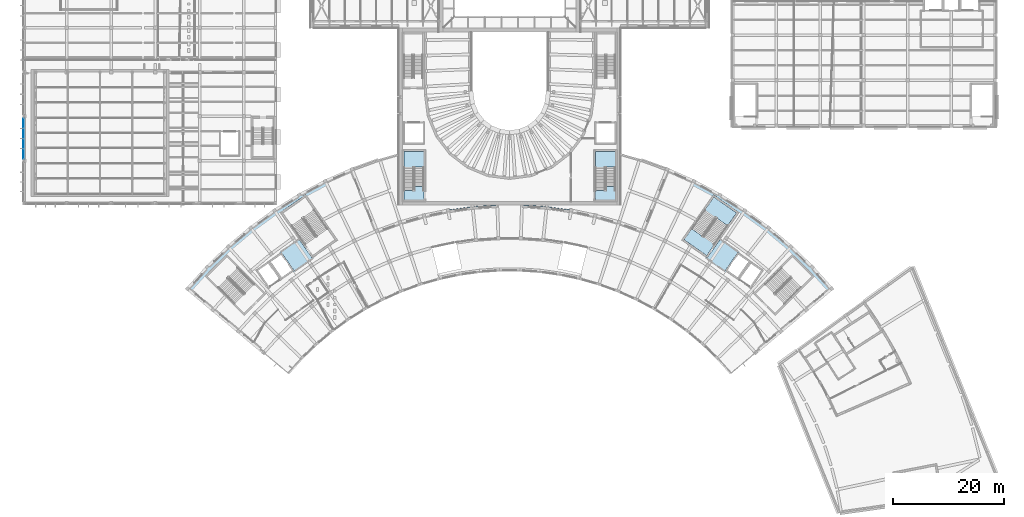
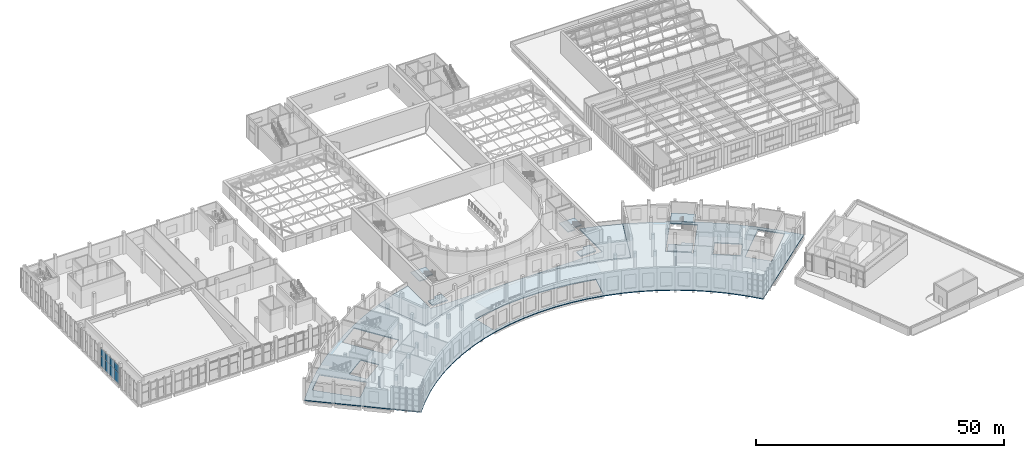
# One storey, part 63 of 132: 8 plates, 8 slabs, 4 elements without a shape of their own.
"""IFC4 building model written with IfcOpenShell, lengths in metres."""

from ifc_helpers import new_model, si_unit, direction, frame, origin, origin_2d, place, context, subcontext, project, spatial, polyline, rectangle, outline, extrude, material, layer, layer_set, type_object, element, aggregate, save


model = new_model("IFC4")

# Units and contexts
model_context = context("Model", 3, precision=1e-05, world=origin(), true_north=direction((0.0, 1.0)))
body_context = subcontext(model_context, "Body", "Model", "MODEL_VIEW")
ifc_project = project(units=[si_unit("LENGTHUNIT", "METRE"), si_unit("AREAUNIT", "SQUARE_METRE"), si_unit("VOLUMEUNIT", "CUBIC_METRE"), si_unit("PLANEANGLEUNIT", "RADIAN"), si_unit("MASSUNIT", "GRAM", prefix="KILO")], contexts=[model_context])

# Site, building, storey
site_placement = place(None, origin())
site = spatial("IfcSite", under=ifc_project, at=site_placement, CompositionType="ELEMENT")
building_placement = place(site_placement, origin())
building = spatial("IfcBuilding", under=site, at=building_placement, Name="Lunette Opera House", CompositionType="ELEMENT")
storey_placement = place(building_placement, frame((0.0, 0.0, 17.0)))
storey = spatial("IfcBuildingStorey", under=building, at=storey_placement, Name="L03", CompositionType="ELEMENT", Elevation=17.0)

# Slabs
ifc_material_1 = material(Name="Concrete C35/45", Category="concrete")
ifc_layer_1 = layer(ifc_material_1, 0.219970703125)
ifc_layer_set_1 = layer_set([ifc_layer_1], Name="Concrete C35/45")
slab_type_1 = type_object("IfcSlabType", Name="CORE LANDING SLAB 220", PredefinedType="LANDING", material=ifc_layer_set_1)
slab_1_placement = place(storey_placement, frame((0.0, 0.0, -0.219970703125)))
element("IfcSlab", 1, at=slab_1_placement, inside=storey, type_object=slab_type_1, Name="ST3 floor landing", PredefinedType="LANDING", context=body_context, shape_type="SweptSolid", body=[
    extrude(outline(polyline([(127.5029296875, 57.718994140625), (128.885986328125, 59.693115234375), (130.85205078125, 58.31689453125), (130.845947265625, 58.30810546875), (131.010009765625, 58.193115234375), (131.412109375, 58.76708984375), (133.3779296875, 57.389892578125), (131.60009765625, 54.85107421875), (127.5029296875, 57.718994140625)])), origin(), (0.0, 0.0, 1.0), 0.219970703125),
])
ifc_material_2 = material(Name="Concrete C35/45", Category="concrete")
ifc_layer_2 = layer(ifc_material_2, 0.300048828125)
ifc_layer_set_2 = layer_set([ifc_layer_2], Name="Concrete C35/45")
slab_type_2 = type_object("IfcSlabType", Name="CORE LANDING SLAB 300", PredefinedType="LANDING", material=ifc_layer_set_2)
slab_2_placement = place(storey_placement, frame((0.0, 0.0, -0.300048828125)))
element("IfcSlab", 2, at=slab_2_placement, inside=storey, type_object=slab_type_2, Name="ST7 floor landing", PredefinedType="LANDING", context=body_context, shape_type="SweptSolid", body=[
    extrude(outline(polyline([(76.89990234375, 64.89990234375), (76.89990234375, 66.6298828125), (78.6201171875, 66.6298828125), (78.6201171875, 66.6201171875), (78.780029296875, 66.6201171875), (78.780029296875, 67.320068359375), (80.5, 67.320068359375), (80.5, 64.89990234375), (76.89990234375, 64.89990234375)])), origin(), (0.0, 0.0, 1.0), 0.300048828125),
])
slab_3_placement = place(storey_placement, frame((0.0, 0.0, -0.300048828125)))
element("IfcSlab", 3, at=slab_3_placement, inside=storey, type_object=slab_type_2, Name="ST8 floor landing", PredefinedType="LANDING", context=body_context, shape_type="SweptSolid", body=[
    extrude(outline(polyline([(111.5, 64.89990234375), (111.5, 66.6298828125), (113.219970703125, 66.6298828125), (113.219970703125, 66.6201171875), (113.3798828125, 66.6201171875), (113.3798828125, 67.320068359375), (115.10009765625, 67.320068359375), (115.10009765625, 64.89990234375), (111.5, 64.89990234375)])), origin(), (0.0, 0.0, 1.0), 0.300048828125),
])

# Curtain wall, plates
ifc_material_3 = material(Name="Aluminium", Category="aluminium")
ifc_layer_3 = layer(ifc_material_3, 0.179931640625)
ifc_layer_set_3 = layer_set([ifc_layer_3], Name="Aluminium")
curtain_wall_type = type_object("IfcCurtainWallType", Name="SUN FACE CURTAIN WALL", PredefinedType="NOTDEFINED", material=ifc_layer_set_3)
curtain_wall_placement = place(storey_placement, origin())
curtain_wall = element("IfcCurtainWall", 4, at=curtain_wall_placement, inside=storey, type_object=curtain_wall_type, Name="Sun Face Curtain Wall F17 L03", PredefinedType="NOTDEFINED")
ifc_material_4 = material(Name="Laminated glass", Category="glass")
ifc_layer_4 = layer(ifc_material_4, 0.028076171875)
ifc_layer_set_4 = layer_set([ifc_layer_4], Name="Laminated glass")
plate_type = type_object("IfcPlateType", Name="CURTAIN PANEL LAMINATED GLASS 28", PredefinedType="CURTAIN_PANEL", material=ifc_layer_set_4)
plate_1_placement = place(storey_placement, frame((8.181884765625, 78.737548828125, 0.06005859375), z_axis=(0.0, 0.0, 1.0), x_axis=(0.0, -1.0, 0.0)))
plate_1 = element("IfcPlate", 5, at=plate_1_placement, type_object=plate_type, Name="RW-X2047 panel 1.1", PredefinedType="CURTAIN_PANEL", context=body_context, shape_type="SweptSolid", body=[
    extrude(rectangle(XDim=1.7451171875, YDim=0.028076171875, at=origin_2d()), origin(), (0.0, 0.0, 1.0), 2.5849609375),
])
plate_2_placement = place(storey_placement, frame((8.181884765625, 78.737548828125, 2.705078125), z_axis=(0.0, 0.0, 1.0), x_axis=(0.0, -1.0, 0.0)))
plate_2 = element("IfcPlate", 6, at=plate_2_placement, type_object=plate_type, Name="RW-X2047 panel 1.2", PredefinedType="CURTAIN_PANEL", context=body_context, shape_type="SweptSolid", body=[
    extrude(rectangle(XDim=1.7451171875, YDim=0.028076171875, at=origin_2d()), origin(), (0.0, 0.0, 1.0), 1.784912109375),
])
plate_3_placement = place(storey_placement, frame((8.181884765625, 76.91748046875, 0.06005859375), z_axis=(0.0, 0.0, 1.0), x_axis=(0.0, -1.0, 0.0)))
plate_3 = element("IfcPlate", 7, at=plate_3_placement, type_object=plate_type, Name="RW-X2047 panel 2.1", PredefinedType="CURTAIN_PANEL", context=body_context, shape_type="SweptSolid", body=[
    extrude(rectangle(XDim=1.77490234375, YDim=0.028076171875, at=origin_2d()), origin(), (0.0, 0.0, 1.0), 2.5849609375),
])
plate_4_placement = place(storey_placement, frame((8.181884765625, 76.91748046875, 2.705078125), z_axis=(0.0, 0.0, 1.0), x_axis=(0.0, -1.0, 0.0)))
plate_4 = element("IfcPlate", 8, at=plate_4_placement, type_object=plate_type, Name="RW-X2047 panel 2.2", PredefinedType="CURTAIN_PANEL", context=body_context, shape_type="SweptSolid", body=[
    extrude(rectangle(XDim=1.77490234375, YDim=0.028076171875, at=origin_2d()), origin(), (0.0, 0.0, 1.0), 1.784912109375),
])
plate_5_placement = place(storey_placement, frame((8.181884765625, 75.08251953125, 0.06005859375), z_axis=(0.0, 0.0, 1.0), x_axis=(0.0, -1.0, 0.0)))
plate_5 = element("IfcPlate", 9, at=plate_5_placement, type_object=plate_type, Name="RW-X2047 panel 3.1", PredefinedType="CURTAIN_PANEL", context=body_context, shape_type="SweptSolid", body=[
    extrude(rectangle(XDim=1.77490234375, YDim=0.028076171875, at=origin_2d()), origin(), (0.0, 0.0, 1.0), 2.5849609375),
])
plate_6_placement = place(storey_placement, frame((8.181884765625, 75.08251953125, 2.705078125), z_axis=(0.0, 0.0, 1.0), x_axis=(0.0, -1.0, 0.0)))
plate_6 = element("IfcPlate", 10, at=plate_6_placement, type_object=plate_type, Name="RW-X2047 panel 3.2", PredefinedType="CURTAIN_PANEL", context=body_context, shape_type="SweptSolid", body=[
    extrude(rectangle(XDim=1.77490234375, YDim=0.028076171875, at=origin_2d()), origin(), (0.0, 0.0, 1.0), 1.784912109375),
])
plate_7_placement = place(storey_placement, frame((8.181884765625, 73.262451171875, 0.06005859375), z_axis=(0.0, 0.0, 1.0), x_axis=(0.0, -1.0, 0.0)))
plate_7 = element("IfcPlate", 11, at=plate_7_placement, type_object=plate_type, Name="RW-X2047 panel 4.1", PredefinedType="CURTAIN_PANEL", context=body_context, shape_type="SweptSolid", body=[
    extrude(rectangle(XDim=1.7451171875, YDim=0.028076171875, at=origin_2d()), origin(), (0.0, 0.0, 1.0), 2.5849609375),
])
plate_8_placement = place(storey_placement, frame((8.181884765625, 73.262451171875, 2.705078125), z_axis=(0.0, 0.0, 1.0), x_axis=(0.0, -1.0, 0.0)))
plate_8 = element("IfcPlate", 12, at=plate_8_placement, type_object=plate_type, Name="RW-X2047 panel 4.2", PredefinedType="CURTAIN_PANEL", context=body_context, shape_type="SweptSolid", body=[
    extrude(rectangle(XDim=1.7451171875, YDim=0.028076171875, at=origin_2d()), origin(), (0.0, 0.0, 1.0), 1.784912109375),
])
aggregate(curtain_wall, [plate_1, plate_2, plate_3, plate_4, plate_5, plate_6, plate_7, plate_8])

# Slabs
ifc_material_5 = material(Name="Concrete C35/45", Category="concrete")
ifc_layer_5 = layer(ifc_material_5, 0.219970703125)
ifc_layer_set_5 = layer_set([ifc_layer_5], Name="Concrete C35/45")
slab_type_3 = type_object("IfcSlabType", Name="FLOOR SLAB 220", PredefinedType="FLOOR", material=ifc_layer_set_5)
slab_4_placement = place(storey_placement, frame((0.0, 0.0, -0.219970703125)))
element("IfcSlab", 13, at=slab_4_placement, inside=storey, type_object=slab_type_3, Name="slab-FC-L03-F1", PredefinedType="FLOOR", context=body_context, shape_type="SweptSolid", body=[
    extrude(outline(polyline([(84.886962890625, 63.028076171875), (80.51708984375, 62.09912109375), (76.222900390625, 60.867919921875), (72.02490234375, 59.340087890625), (67.530029296875, 70.466064453125), (62.68408203125, 68.30810546875), (58.0, 65.818115234375), (53.5009765625, 63.007080078125), (49.2099609375, 59.888916015625), (45.14599609375, 56.47900390625), (41.330078125, 52.7939453125), (37.781005859375, 48.85205078125), (46.972900390625, 41.137939453125), (56.166015625, 33.425048828125), (58.593994140625, 36.1220703125), (61.205078125, 38.64404296875), (63.986083984375, 40.97705078125), (66.922119140625, 43.110107421875), (70.0, 45.032958984375), (73.205078125, 46.737060546875), (76.52001953125, 48.214111328125), (79.930908203125, 49.455078125), (83.419921875, 50.455078125), (86.969970703125, 51.2099609375), (90.56494140625, 51.715087890625), (94.18505859375, 51.968017578125), (97.81494140625, 51.968017578125), (101.43505859375, 51.715087890625), (105.030029296875, 51.2099609375), (108.580078125, 50.455078125), (112.069091796875, 49.455078125), (115.47998046875, 48.214111328125), (118.794921875, 46.737060546875), (122.0, 45.032958984375), (125.077880859375, 43.110107421875), (128.013916015625, 40.97705078125), (130.794921875, 38.64404296875), (133.406005859375, 36.1220703125), (135.833984375, 33.425048828125), (145.027099609375, 41.137939453125), (154.218994140625, 48.85205078125), (150.669921875, 52.7939453125), (146.85400390625, 56.47900390625), (142.7900390625, 59.888916015625), (138.4990234375, 63.007080078125), (134.0, 65.818115234375), (129.31591796875, 68.30810546875), (124.469970703125, 70.466064453125), (119.97509765625, 59.340087890625), (115.777099609375, 60.867919921875), (111.48291015625, 62.09912109375), (107.113037109375, 63.028076171875), (102.68994140625, 63.64892578125), (98.23388671875, 63.9609375), (93.76611328125, 63.9609375), (89.31005859375, 63.64892578125), (84.886962890625, 63.028076171875)]), holes=[polyline([(86.865966796875, 51.801025390625), (83.27490234375, 51.0380859375), (81.968994140625, 56.277099609375), (85.927978515625, 57.118896484375), (89.93701171875, 57.681884765625), (93.97607421875, 57.965087890625), (98.02392578125, 57.965087890625), (102.06298828125, 57.681884765625), (106.072021484375, 57.118896484375), (110.031005859375, 56.277099609375), (108.72509765625, 51.0380859375), (105.134033203125, 51.801025390625), (101.498046875, 52.31201171875), (97.8359375, 52.568115234375), (94.1640625, 52.568115234375), (90.501953125, 52.31201171875), (86.865966796875, 51.801025390625)]), polyline([(44.912109375, 55.048095703125), (51.98291015625, 47.97705078125), (48.02294921875, 44.01708984375), (40.951904296875, 51.087890625), (44.912109375, 55.048095703125)]), polyline([(151.048095703125, 51.087890625), (143.97705078125, 44.01708984375), (140.01708984375, 47.97705078125), (147.087890625, 55.048095703125), (151.048095703125, 51.087890625)]), polyline([(50.1689453125, 52.202880859375), (52.462890625, 53.80908203125), (54.756103515625, 55.4150390625), (57.051025390625, 52.138916015625), (54.757080078125, 50.532958984375), (52.462890625, 48.927001953125), (50.1689453125, 52.202880859375)]), polyline([(141.8310546875, 52.202880859375), (139.537109375, 48.927001953125), (137.242919921875, 50.532958984375), (134.948974609375, 52.138916015625), (137.243896484375, 55.4150390625), (139.537109375, 53.80908203125), (141.8310546875, 52.202880859375)]), polyline([(54.591064453125, 62.625), (59.178955078125, 65.8369140625), (64.9140625, 57.64501953125), (60.326904296875, 54.43310546875), (54.591064453125, 62.625)]), polyline([(137.408935546875, 62.625), (131.673095703125, 54.43310546875), (127.0859375, 57.64501953125), (132.821044921875, 65.8369140625), (137.408935546875, 62.625)])]), origin(), (0.0, 0.0, 1.0), 0.219970703125),
])
ifc_material_6 = material(Name="Concrete C35/45", Category="concrete")
ifc_layer_6 = layer(ifc_material_6, 0.25)
ifc_layer_set_6 = layer_set([ifc_layer_6], Name="Concrete C35/45")
slab_type_4 = type_object("IfcSlabType", Name="ROOF SLAB 250", PredefinedType="ROOF", material=ifc_layer_set_6)
slab_5_placement = place(storey_placement, frame((0.0, 0.0, -0.25)))
element("IfcSlab", 14, at=slab_5_placement, inside=storey, type_object=slab_type_4, Name="slab-FC-L02-R1", PredefinedType="ROOF", context=body_context, shape_type="SweptSolid", body=[
    extrude(outline(polyline([(72.514892578125, 72.280029296875), (67.530029296875, 70.466064453125), (72.02490234375, 59.340087890625), (76.0, 60.787109375), (76.222900390625, 60.867919921875), (80.51708984375, 62.09912109375), (84.886962890625, 63.028076171875), (89.31005859375, 63.64892578125), (93.76611328125, 63.9609375), (98.23388671875, 63.9609375), (102.68994140625, 63.64892578125), (107.113037109375, 63.028076171875), (111.48291015625, 62.09912109375), (115.777099609375, 60.867919921875), (116.0, 60.787109375), (119.97509765625, 59.340087890625), (124.469970703125, 70.466064453125), (119.485107421875, 72.280029296875), (116.0, 73.280029296875), (116.0, 64.0), (76.0, 64.0), (76.0, 73.280029296875), (72.514892578125, 72.280029296875)])), origin(), (0.0, 0.0, 1.0), 0.25),
])

# Stair, slab
ifc_material_7 = material(Name="Concrete C35/45", Category="concrete")
stair_type_1 = type_object("IfcStairType", Name="DOGLEG STAIR 2400", PredefinedType="HALF_TURN_STAIR", material=ifc_material_7)
stair_1_placement = place(storey_placement, origin())
stair_1 = element("IfcStair", 15, at=stair_1_placement, inside=storey, type_object=stair_type_1, Name="L03 stair ST3", PredefinedType="HALF_TURN_STAIR")
ifc_material_8 = material(Name="Concrete C35/45", Category="concrete")
ifc_layer_7 = layer(ifc_material_8, 0.199951171875)
ifc_layer_set_7 = layer_set([ifc_layer_7], Name="Concrete C35/45")
slab_type_5 = type_object("IfcSlabType", Name="STAIR LANDING SLAB 200", PredefinedType="LANDING", material=ifc_layer_set_7)
slab_6_placement = place(storey_placement, frame((0.0, 0.0, 2.550048828125)))
slab_6 = element("IfcSlab", 16, at=slab_6_placement, type_object=slab_type_5, Name="ST3 landing 1", PredefinedType="LANDING", context=body_context, shape_type="SweptSolid", body=[
    extrude(outline(polyline([(135.37890625, 60.2490234375), (133.4130859375, 61.6259765625), (133.4189453125, 61.634033203125), (133.2548828125, 61.7490234375), (132.85302734375, 61.175048828125), (130.886962890625, 62.552001953125), (132.89501953125, 65.4189453125), (136.990966796875, 62.551025390625), (135.37890625, 60.2490234375)])), origin(), (0.0, 0.0, 1.0), 0.199951171875),
])
aggregate(stair_1, [slab_6])

ifc_material_9 = material(Name="Concrete C35/45", Category="concrete")
stair_type_2 = type_object("IfcStairType", Name="DOGLEG STAIR 1720", PredefinedType="HALF_TURN_STAIR", material=ifc_material_9)
stair_2_placement = place(storey_placement, origin())
stair_2 = element("IfcStair", 17, at=stair_2_placement, inside=storey, type_object=stair_type_2, Name="L03 stair ST7", PredefinedType="HALF_TURN_STAIR")
slab_7_placement = place(storey_placement, frame((0.0, 0.0, 2.550048828125)))
slab_7 = element("IfcSlab", 18, at=slab_7_placement, type_object=slab_type_5, Name="ST7 landing 1", PredefinedType="LANDING", context=body_context, shape_type="SweptSolid", body=[
    extrude(outline(polyline([(80.5, 70.81005859375), (78.780029296875, 70.81005859375), (78.780029296875, 70.820068359375), (78.6201171875, 70.820068359375), (78.6201171875, 70.1201171875), (76.89990234375, 70.1201171875), (76.89990234375, 73.699951171875), (80.5, 73.699951171875), (80.5, 70.81005859375)])), origin(), (0.0, 0.0, 1.0), 0.199951171875),
])
aggregate(stair_2, [slab_7])

stair_3_placement = place(storey_placement, origin())
stair_3 = element("IfcStair", 19, at=stair_3_placement, inside=storey, type_object=stair_type_2, Name="L03 stair ST8", PredefinedType="HALF_TURN_STAIR")
slab_8_placement = place(storey_placement, frame((0.0, 0.0, 2.550048828125)))
slab_8 = element("IfcSlab", 20, at=slab_8_placement, type_object=slab_type_5, Name="ST8 landing 1", PredefinedType="LANDING", context=body_context, shape_type="SweptSolid", body=[
    extrude(outline(polyline([(115.10009765625, 70.81005859375), (113.3798828125, 70.81005859375), (113.3798828125, 70.820068359375), (113.219970703125, 70.820068359375), (113.219970703125, 70.1201171875), (111.5, 70.1201171875), (111.5, 73.699951171875), (115.10009765625, 73.699951171875), (115.10009765625, 70.81005859375)])), origin(), (0.0, 0.0, 1.0), 0.199951171875),
])
aggregate(stair_3, [slab_8])

save(model, "model.ifc")
